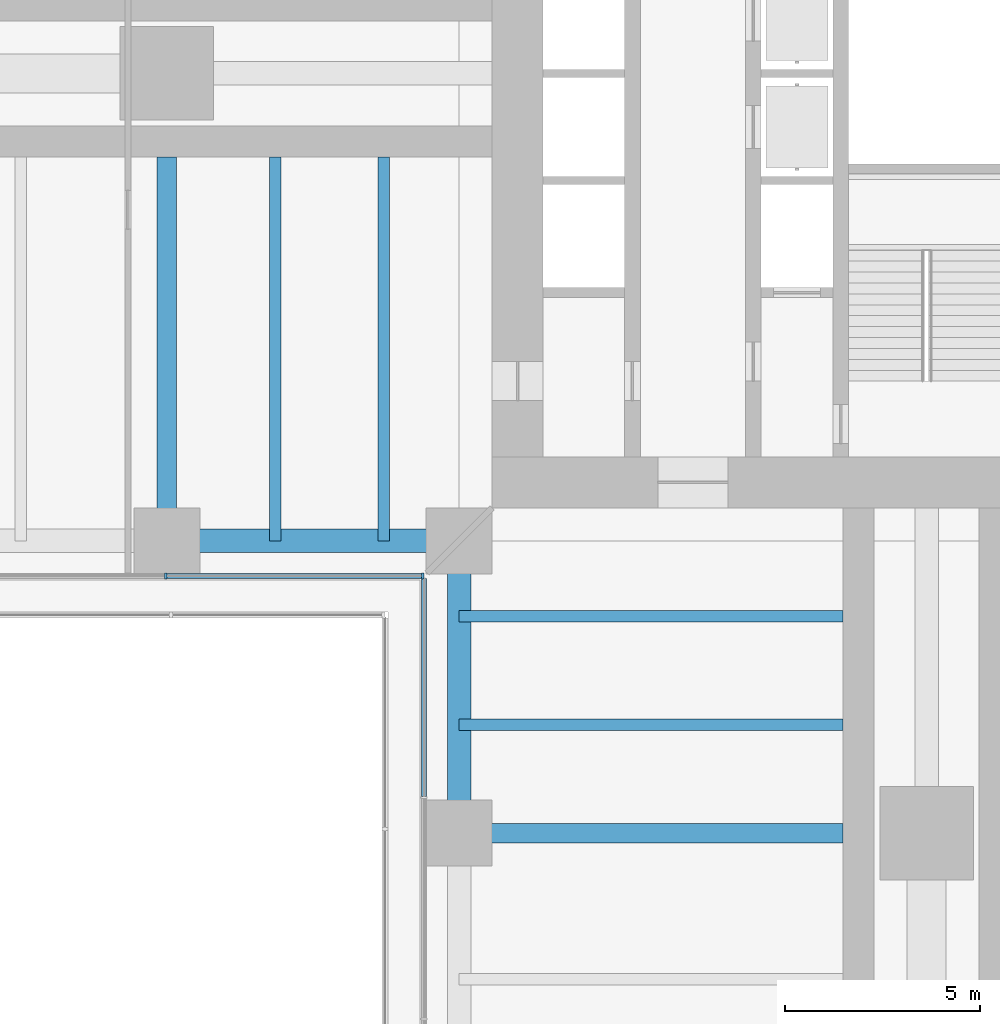
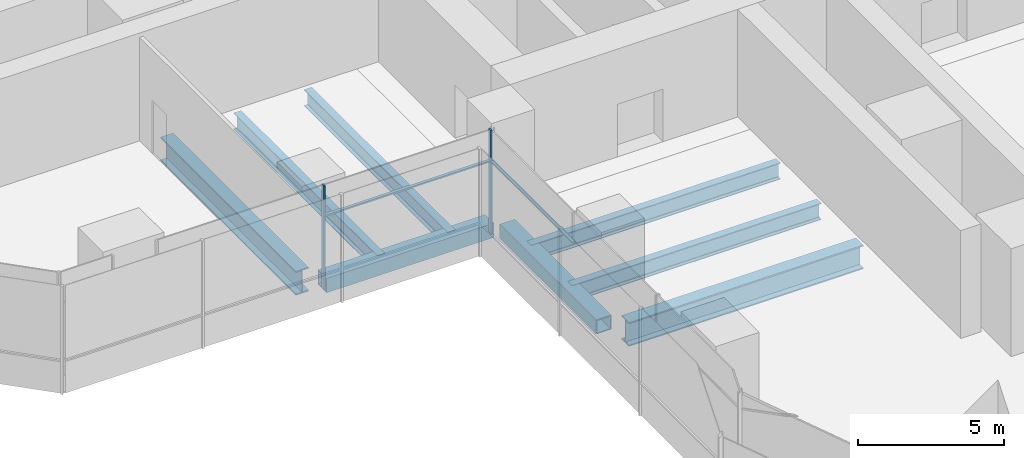
# One storey, part 4 of 27: 8 beams, 4 members, 2 elements without a shape of their own.
"""IFC4 building model written with IfcOpenShell, lengths in metres."""

from ifc_helpers import new_model, si_unit, direction, frame, origin, origin_2d, place, context, subcontext, project, spatial, rectangle, hollow_rectangle, i_section, extrude, material, material_profile, profile_set, type_object, element, aggregate, save


model = new_model("IFC4")

# Units and contexts
model_context = context("Model", 3, precision=1e-05, world=origin(), true_north=direction((0.0, 1.0)))
body_context = subcontext(model_context, "Body", "Model", "MODEL_VIEW")
ifc_project = project(units=[si_unit("LENGTHUNIT", "METRE"), si_unit("AREAUNIT", "SQUARE_METRE"), si_unit("VOLUMEUNIT", "CUBIC_METRE"), si_unit("PLANEANGLEUNIT", "RADIAN"), si_unit("MASSUNIT", "GRAM", prefix="KILO")], contexts=[model_context])

# Site, building, storey
site_placement = place(None, origin())
site = spatial("IfcSite", under=ifc_project, at=site_placement, CompositionType="ELEMENT")
building_placement = place(site_placement, origin())
building = spatial("IfcBuilding", under=site, at=building_placement, Name="Mizan Broadcast Tower", CompositionType="ELEMENT")
storey_placement = place(building_placement, frame((0.0, 0.0, 113.699951171875)))
storey = spatial("IfcBuildingStorey", under=building, at=storey_placement, Name="L25", CompositionType="ELEMENT", Elevation=113.699951171875)

# Beams
ifc_material_1 = material(Name="Steel S355", Category="steel")
ifc_material_profile_1 = material_profile(ifc_material_1, hollow_rectangle(XDim=0.60009765625, YDim=0.60009765625, WallThickness=0.0400390625, at=origin_2d()), Name="BOX 600x600x40")
ifc_profile_set_1 = profile_set([ifc_material_profile_1], Name="Steel S355")
beam_type_1 = type_object("IfcBeamType", Name="EDGE BEAM BOX 600x600x40", PredefinedType="SPANDREL", material=ifc_profile_set_1)
for number, where, z_axis, x_axis, name in (
    (1, (-12.449951171875, -12.0, -0.429931640625), (-1.0, 0.0, 0.0), (0.0, -1.0, 0.0), "Edge beam BOX 600x600x40 L25 west arm"),
    (2, (-12.0, -12.449951171875, -0.429931640625), (0.0, -1.0, 0.0), (1.0, 0.0, 0.0), "Edge beam BOX 600x600x40 L25 south arm"),
):
    element("IfcBeam", number, at=place(storey_placement, frame(where, z_axis=z_axis, x_axis=x_axis)), inside=storey, type_object=beam_type_1, Name=name, PredefinedType="SPANDREL", context=body_context, shape_type="SweptSolid", body=[
        extrude(hollow_rectangle(XDim=0.60009765625, YDim=0.60009765625, WallThickness=0.0400390625, at=origin_2d()), origin(), (0.0, 0.0, 1.0), 6.60009765625),
    ])
ifc_material_2 = material(Name="Steel S460", Category="steel")
ifc_material_profile_2 = material_profile(ifc_material_2, i_section(OverallWidth=0.5, OverallDepth=1.0, WebThickness=0.02490234375, FlangeThickness=0.050048828125, at=origin_2d()), Name="WPG 1000x500")
ifc_profile_set_2 = profile_set([ifc_material_profile_2], Name="Steel S460")
beam_type_2 = type_object("IfcBeamType", Name="GIRDER WPG 1000x500", PredefinedType="BEAM", material=ifc_profile_set_2)
for number, where, z_axis, x_axis, name in (
    (3, (-19.5, -11.408935546875, -0.6298828125), (0.0, 1.0, 0.0), (-1.0, 0.0, 0.0), "Girder WPG 1000x500 L25 west arm"),
    (4, (-11.408935546875, -19.5, -0.6298828125), (1.0, 0.0, 0.0), (0.0, 1.0, 0.0), "Girder WPG 1000x500 L25 south arm"),
):
    element("IfcBeam", number, at=place(storey_placement, frame(where, z_axis=z_axis, x_axis=x_axis)), inside=storey, type_object=beam_type_2, Name=name, PredefinedType="BEAM", context=body_context, shape_type="SweptSolid", body=[
        extrude(i_section(OverallWidth=0.5, OverallDepth=1.0, WebThickness=0.02490234375, FlangeThickness=0.050048828125, at=origin_2d()), origin(), (0.0, 0.0, 1.0), 9.259033203125),
    ])

# Curtain wall, members
ifc_material_3 = material(Name="Aluminium framed glazing", Category="aluminium")
curtain_wall_type = type_object("IfcCurtainWallType", Name="INNER SKIN MID ZONE", PredefinedType="USERDEFINED", material=ifc_material_3)
curtain_wall_1_placement = place(storey_placement, origin())
curtain_wall_1 = element("IfcCurtainWall", 5, at=curtain_wall_1_placement, inside=storey, type_object=curtain_wall_type, Name="Inner skin mid zone L25 W side", ObjectType="INNER SKIN MID ZONE", PredefinedType="USERDEFINED")
ifc_material_4 = material(Name="Aluminium, pale anodised", Category="aluminium")
ifc_material_profile_3 = material_profile(ifc_material_4, rectangle(XDim=0.159912109375, YDim=0.06005859375, at=origin_2d()), Name="MULLION 160x60")
ifc_profile_set_3 = profile_set([ifc_material_profile_3], Name="Aluminium, pale anodised")
member_type_1 = type_object("IfcMemberType", Name="INNER SKIN MULLION 60x160", PredefinedType="MULLION", material=ifc_profile_set_3)
member_1_placement = place(storey_placement, frame((-19.52490234375, -12.89990234375, 0.0), z_axis=(0.0, 0.0, 1.0), x_axis=(0.0, 1.0, 0.0)))
member_1 = element("IfcMember", 6, at=member_1_placement, type_object=member_type_1, Name="Inner skin mid zone L25 W side mullion 2", PredefinedType="MULLION", context=body_context, shape_type="SweptSolid", body=[
    extrude(rectangle(XDim=0.159912109375, YDim=0.06005859375, at=origin_2d()), origin(), (0.0, 0.0, 1.0), 4.320068359375),
])
member_2_placement = place(storey_placement, frame((-12.929931640625, -12.89990234375, 0.0), z_axis=(0.0, 0.0, 1.0), x_axis=(0.0, 1.0, 0.0)))
member_2 = element("IfcMember", 7, at=member_2_placement, type_object=member_type_1, Name="Inner skin mid zone L25 W side mullion 3", PredefinedType="MULLION", context=body_context, shape_type="SweptSolid", body=[
    extrude(rectangle(XDim=0.159912109375, YDim=0.06005859375, at=origin_2d()), origin(), (0.0, 0.0, 1.0), 4.320068359375),
])
ifc_material_5 = material(Name="Aluminium, pale anodised", Category="aluminium")
ifc_material_profile_4 = material_profile(ifc_material_5, rectangle(XDim=0.1201171875, YDim=0.06005859375, at=origin_2d()), Name="TRANSOM 120x60")
ifc_profile_set_4 = profile_set([ifc_material_profile_4], Name="Aluminium, pale anodised")
member_type_2 = type_object("IfcMemberType", Name="INNER SKIN TRANSOM 60x120", PredefinedType="USERDEFINED", material=ifc_profile_set_4)
member_3_placement = place(storey_placement, frame((-19.4951171875, -12.89990234375, 3.030029296875), z_axis=(1.0, 0.0, 0.0), x_axis=(0.0, 1.0, 0.0)))
member_3 = element("IfcMember", 8, at=member_3_placement, type_object=member_type_2, Name="Inner skin mid zone L25 W side transom 2.1", ObjectType="TRANSOM", PredefinedType="USERDEFINED", context=body_context, shape_type="SweptSolid", body=[
    extrude(rectangle(XDim=0.1201171875, YDim=0.06005859375, at=origin_2d()), origin(), (0.0, 0.0, 1.0), 6.53515625),
])
aggregate(curtain_wall_1, [member_1, member_2, member_3])

# Curtain wall, member
curtain_wall_2_placement = place(storey_placement, origin())
curtain_wall_2 = element("IfcCurtainWall", 9, at=curtain_wall_2_placement, inside=storey, type_object=curtain_wall_type, Name="Inner skin mid zone L25 S side", ObjectType="INNER SKIN MID ZONE", PredefinedType="USERDEFINED")
member_4_placement = place(storey_placement, frame((-12.89990234375, -12.9599609375, 3.030029296875), z_axis=(0.0, -1.0, 0.0), x_axis=(1.0, 0.0, 0.0)))
member_4 = element("IfcMember", 10, at=member_4_placement, type_object=member_type_2, Name="Inner skin mid zone L25 S side transom 1.1", ObjectType="TRANSOM", PredefinedType="USERDEFINED", context=body_context, shape_type="SweptSolid", body=[
    extrude(rectangle(XDim=0.1201171875, YDim=0.06005859375, at=origin_2d()), origin(), (0.0, 0.0, 1.0), 5.59619140625),
])
aggregate(curtain_wall_2, [member_4])

# Beams
ifc_material_6 = material(Name="Steel S355", Category="steel")
ifc_material_profile_5 = material_profile(ifc_material_6, i_section(OverallWidth=0.300048828125, OverallDepth=0.68994140625, WebThickness=0.014404296875, FlangeThickness=0.027099609375, FilletRadius=0.027099609375, at=origin_2d()), Name="HEA 700")
ifc_profile_set_5 = profile_set([ifc_material_profile_5], Name="Steel S355")
beam_type_3 = type_object("IfcBeamType", Name="SECONDARY BEAM HEA 700", PredefinedType="JOIST", material=ifc_profile_set_5)
for number, where, z_axis, x_axis, name in (
    (11, (-13.933349609375, -12.0, -0.474853515625), (0.0, 1.0, 0.0), (-1.0, 0.0, 0.0), "Secondary beam HEA 700 L25 west arm"),
    (12, (-16.716552734375, -12.0, -0.474853515625), (0.0, 1.0, 0.0), (-1.0, 0.0, 0.0), "Secondary beam HEA 700 L25 west arm"),
    (13, (-12.0, -13.933349609375, -0.474853515625), (1.0, 0.0, 0.0), (0.0, 1.0, 0.0), "Secondary beam HEA 700 L25 south arm"),
    (14, (-12.0, -16.716552734375, -0.474853515625), (1.0, 0.0, 0.0), (0.0, 1.0, 0.0), "Secondary beam HEA 700 L25 south arm"),
):
    element("IfcBeam", number, at=place(storey_placement, frame(where, z_axis=z_axis, x_axis=x_axis)), inside=storey, type_object=beam_type_3, Name=name, PredefinedType="JOIST", context=body_context, shape_type="SweptSolid", body=[
        extrude(i_section(OverallWidth=0.300048828125, OverallDepth=0.68994140625, WebThickness=0.014404296875, FlangeThickness=0.027099609375, FilletRadius=0.027099609375, at=origin_2d()), origin(), (0.0, 0.0, 1.0), 9.85009765625),
    ])

save(model, "model.ifc")
